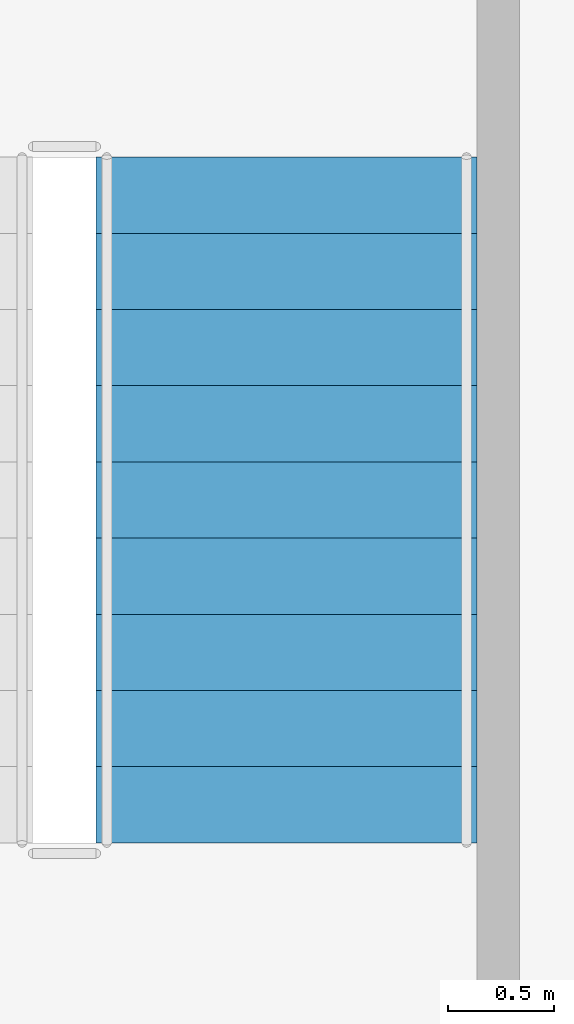
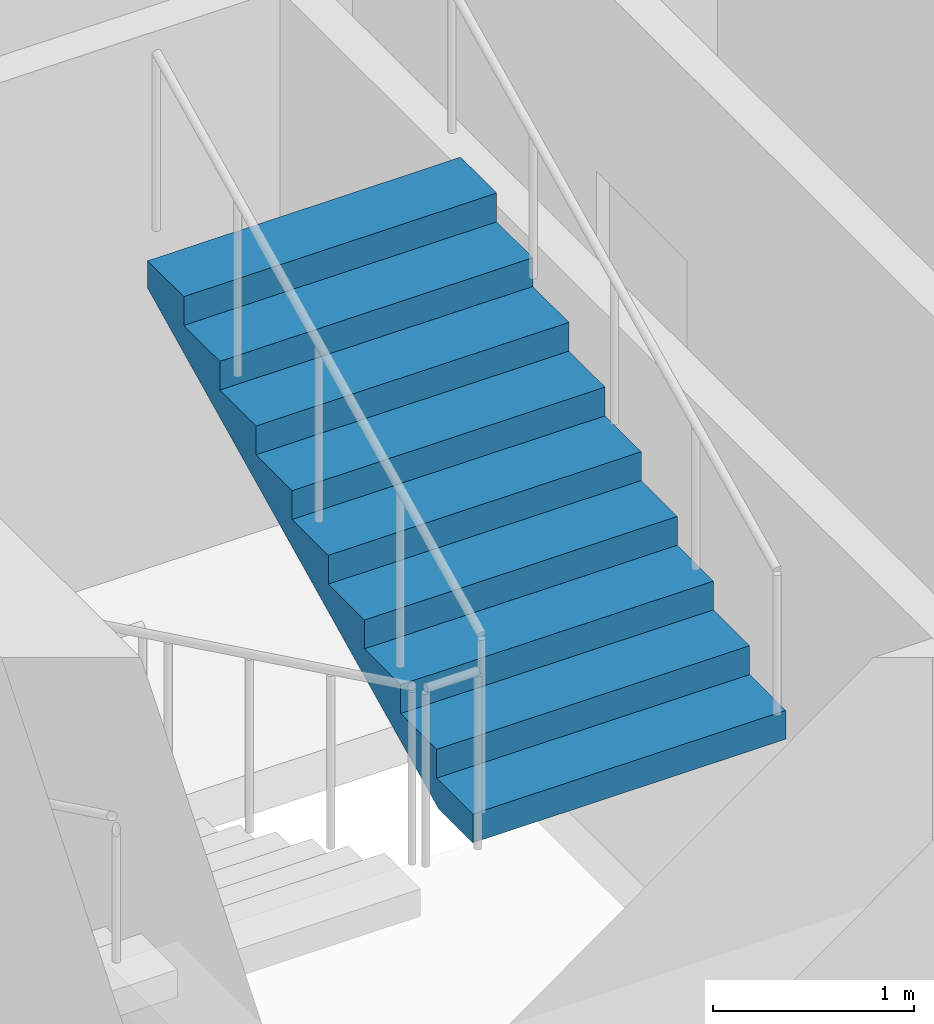
# One storey, part 19 of 25: 1 stair flight, 1 element without a shape of its own.
"""IFC4 building model written with IfcOpenShell, lengths in metres."""

from ifc_helpers import new_model, si_unit, direction, frame, origin, place, context, subcontext, project, spatial, polyline, outline, extrude, material, type_object, element, aggregate, save


model = new_model("IFC4")

# Units and contexts
model_context = context("Model", 3, precision=1e-05, world=origin(), true_north=direction((0.0, 1.0)))
body_context = subcontext(model_context, "Body", "Model", "MODEL_VIEW")
ifc_project = project(units=[si_unit("LENGTHUNIT", "METRE"), si_unit("AREAUNIT", "SQUARE_METRE"), si_unit("VOLUMEUNIT", "CUBIC_METRE"), si_unit("PLANEANGLEUNIT", "RADIAN"), si_unit("MASSUNIT", "GRAM", prefix="KILO")], contexts=[model_context])

# Site, building, storey
site_placement = place(None, origin())
site = spatial("IfcSite", under=ifc_project, at=site_placement, CompositionType="ELEMENT")
building_placement = place(site_placement, origin())
building = spatial("IfcBuilding", under=site, at=building_placement, Name="Cobrizo Arcos Hotel Tower", CompositionType="ELEMENT")
storey_placement = place(building_placement, frame((0.0, 0.0, 46.0)))
storey = spatial("IfcBuildingStorey", under=building, at=storey_placement, Name="L09", CompositionType="ELEMENT", Elevation=46.0)

# Stair, stair flight
ifc_material = material(Name="Concrete f'c 40 MPa", Category="concrete")
stair_type = type_object("IfcStairType", Name="Exit stair", PredefinedType="HALF_TURN_STAIR", material=ifc_material)
stair_placement = place(storey_placement, origin())
stair = element("IfcStair", 1, at=stair_placement, inside=storey, type_object=stair_type, Name="L09 Exit stair ST-E", PredefinedType="HALF_TURN_STAIR")
stair_flight_type = type_object("IfcStairFlightType", Name="Exit stair flight", PredefinedType="STRAIGHT", material=ifc_material)
stair_flight_placement = place(storey_placement, frame((19.0, -8.739990234375, 1.75), z_axis=(0.0, 0.0, 1.0), x_axis=(0.0, 1.0, 0.0)))
stair_flight = element("IfcStairFlight", 2, at=stair_flight_placement, type_object=stair_flight_type, Name="ST-E flight 2", NumberOfRisers=10, NumberOfTreads=9, PredefinedType="STRAIGHT", RiserHeight=0.175, TreadLength=0.36, context=body_context, shape_type="SweptSolid", body=[
    extrude(outline(polyline([(0.0, 0.0), (0.0, 0.175048828125), (0.360107421875, 0.175048828125), (0.360107421875, 0.35009765625), (0.719970703125, 0.35009765625), (0.719970703125, 0.52490234375), (1.080078125, 0.52490234375), (1.080078125, 0.699951171875), (1.43994140625, 0.699951171875), (1.43994140625, 0.875), (1.800048828125, 0.875), (1.800048828125, 1.050048828125), (2.159912109375, 1.050048828125), (2.159912109375, 1.22509765625), (2.52001953125, 1.22509765625), (2.52001953125, 1.39990234375), (2.8798828125, 1.39990234375), (2.8798828125, 1.574951171875), (3.239990234375, 1.574951171875), (3.239990234375, 1.75), (3.239990234375, 1.408203125), (0.3427734375, 0.0), (0.0, 0.0)])), frame((0.0, 0.89990234375, 0.0), z_axis=(0.0, -1.0, 0.0), x_axis=(1.0, 0.0, 0.0)), (0.0, 0.0, 1.0), 1.800048828125),
])
aggregate(stair, [stair_flight])

save(model, "model.ifc")
